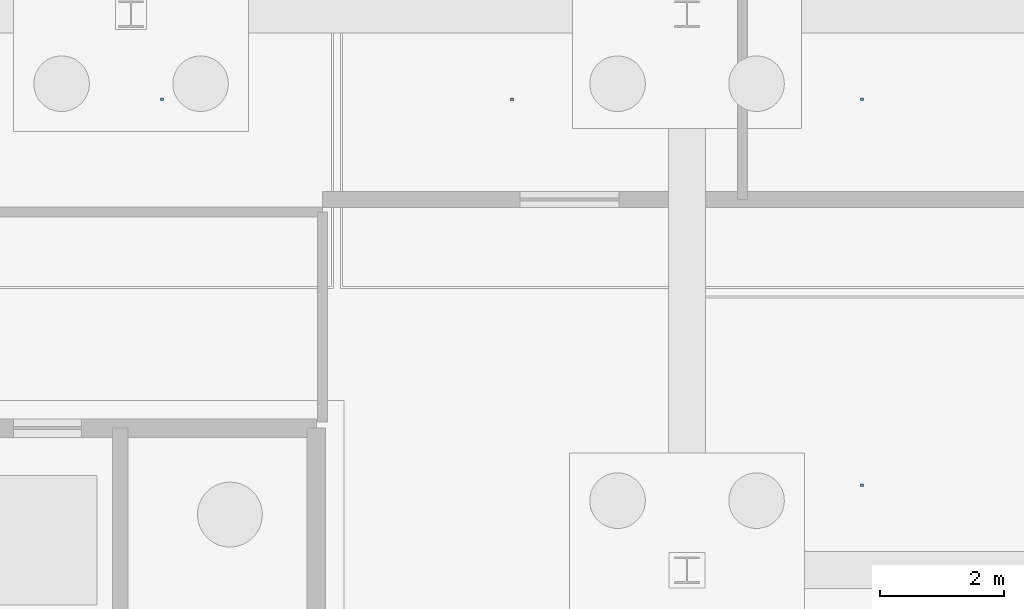
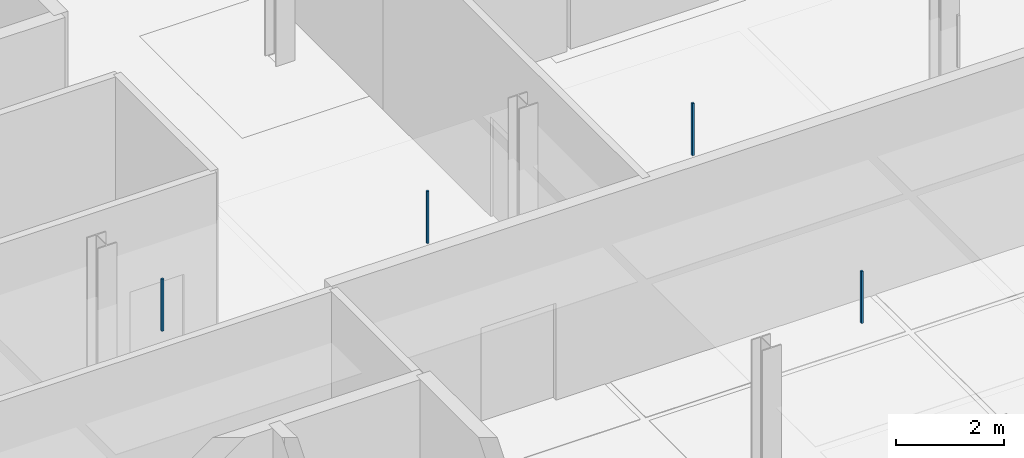
# One storey, part 41 of 48: 4 discrete accessories.
"""IFC4 building model written with IfcOpenShell, lengths in metres."""

from ifc_helpers import new_model, si_unit, direction, frame, origin, origin_2d, place, context, subcontext, project, spatial, rectangle, extrude, material, type_object, element, save


model = new_model("IFC4")

# Units and contexts
model_context = context("Model", 3, precision=1e-05, world=origin(), true_north=direction((0.0, 1.0)))
body_context = subcontext(model_context, "Body", "Model", "MODEL_VIEW")
ifc_project = project(units=[si_unit("LENGTHUNIT", "METRE"), si_unit("AREAUNIT", "SQUARE_METRE"), si_unit("VOLUMEUNIT", "CUBIC_METRE"), si_unit("PLANEANGLEUNIT", "RADIAN"), si_unit("MASSUNIT", "GRAM", prefix="KILO"), si_unit("THERMODYNAMICTEMPERATUREUNIT", "KELVIN"), si_unit("POWERUNIT", "WATT")], contexts=[model_context])

# Site, building, storey
site_placement = place(None, origin())
site = spatial("IfcSite", under=ifc_project, at=site_placement, CompositionType="ELEMENT")
building_placement = place(site_placement, origin())
building = spatial("IfcBuilding", under=site, at=building_placement, Name="Tallowbark Science Centre", CompositionType="ELEMENT")
storey_placement = place(building_placement, frame((0.0, 0.0, -4.5)))
storey = spatial("IfcBuildingStorey", under=building, at=storey_placement, Name="B1", CompositionType="ELEMENT", Elevation=-4.5)

# Discrete accessories
ifc_material = material(Name="Galvanised Steel Grade C350L0 (350 MPa)", Category="steel")
discrete_accessory_type = type_object("IfcDiscreteAccessoryType", Name="ACC-CLG-HNG", PredefinedType="BRACKET", material=ifc_material)
for number, where, z_axis, x_axis, name in (
    (1, (122.0, 88.625, 3.10595703125), (0.0, 0.0, 1.0), (1.0, 0.0, 0.0), "Ceiling Hanger Bracket B1-64"),
    (2, (127.666748046875, 88.625, 3.10595703125), (0.0, 0.0, 1.0), (1.0, 0.0, 0.0), "Ceiling Hanger Bracket B1-65"),
    (3, (133.333251953125, 82.375, 3.10595703125), (0.0, 0.0, 1.0), (1.0, 0.0, 0.0), "Ceiling Hanger Bracket B1-67"),
    (4, (133.333251953125, 88.625, 3.10595703125), (0.0, 0.0, 1.0), (1.0, 0.0, 0.0), "Ceiling Hanger Bracket B1-68"),
):
    element("IfcDiscreteAccessory", number, at=place(storey_placement, frame(where, z_axis=z_axis, x_axis=x_axis)), inside=storey, type_object=discrete_accessory_type, Name=name, PredefinedType="BRACKET", context=body_context, shape_type="SweptSolid", body=[
        extrude(rectangle(XDim=0.044921875, YDim=0.044921875, at=origin_2d()), origin(), (0.0, 0.0, 1.0), 1.177001953125),
    ])

save(model, "model.ifc")
